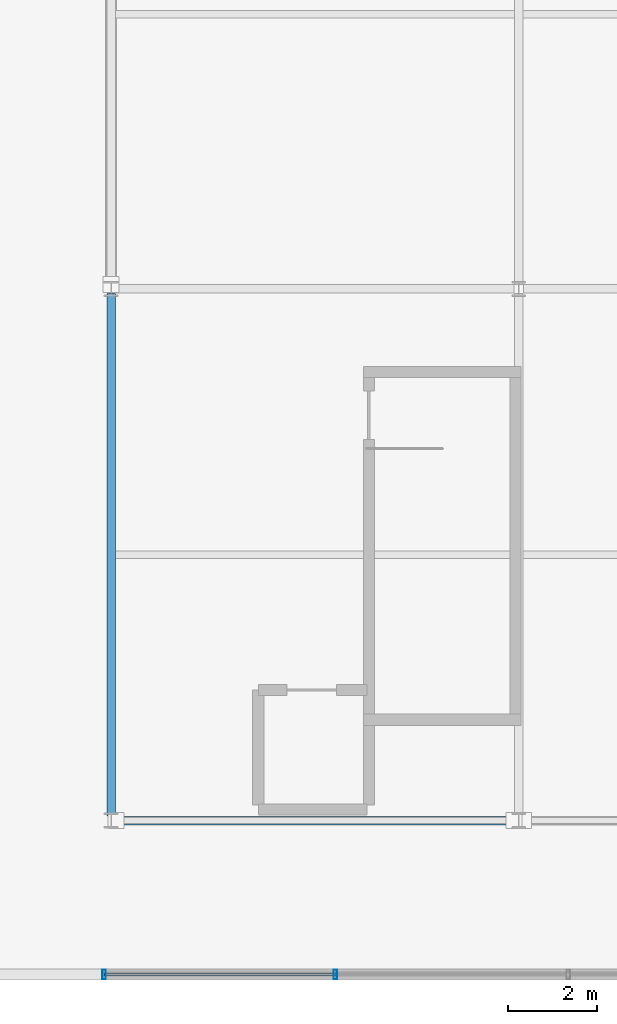
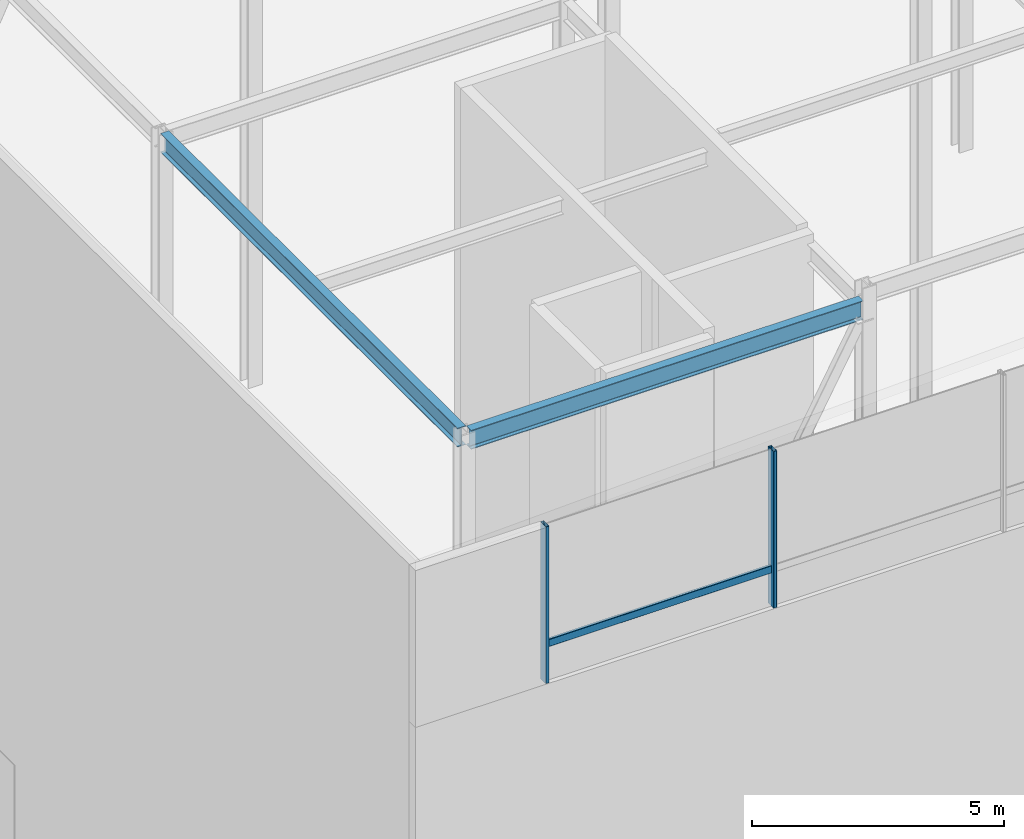
# One storey, part 14 of 39: 3 members, 2 beams, 1 element without a shape of its own.
"""IFC4 building model written with IfcOpenShell, lengths in metres."""

from ifc_helpers import new_model, si_unit, direction, frame, origin, origin_2d, place, context, subcontext, project, spatial, hollow_rectangle, i_section, extrude, material, layer, layer_set, material_profile, profile_set, type_object, element, aggregate, save


model = new_model("IFC4")

# Units and contexts
model_context = context("Model", 3, precision=1e-05, world=origin(), true_north=direction((0.0, 1.0)))
body_context = subcontext(model_context, "Body", "Model", "MODEL_VIEW")
ifc_project = project(units=[si_unit("LENGTHUNIT", "METRE"), si_unit("AREAUNIT", "SQUARE_METRE"), si_unit("VOLUMEUNIT", "CUBIC_METRE"), si_unit("PLANEANGLEUNIT", "RADIAN"), si_unit("MASSUNIT", "GRAM", prefix="KILO")], contexts=[model_context])

# Site, building, storey
site_placement = place(None, origin())
site = spatial("IfcSite", under=ifc_project, at=site_placement, CompositionType="ELEMENT")
building_placement = place(site_placement, origin())
building = spatial("IfcBuilding", under=site, at=building_placement, Name="Korimba Cascade Residences", CompositionType="ELEMENT")
storey_placement = place(building_placement, frame((0.0, 0.0, 264.199951171875)))
storey = spatial("IfcBuildingStorey", under=building, at=storey_placement, Name="RF", CompositionType="ELEMENT", Elevation=264.199951171875)

# Beams
ifc_material_1 = material(Name="Steel S355", Category="steel")
ifc_material_profile_1 = material_profile(ifc_material_1, i_section(OverallWidth=0.19140625, OverallDepth=0.4599609375, WebThickness=0.010009765625, FlangeThickness=0.01611328125, FilletRadius=0.01025390625, at=origin_2d()), Name="Steel S355")
ifc_profile_set_1 = profile_set([ifc_material_profile_1], Name="Steel S355")
beam_type = type_object("IfcBeamType", Name="BM-STL-UB457", PredefinedType="JOIST", material=ifc_profile_set_1)
beam_1_placement = place(storey_placement, frame((103.0048828125, 55.199951171875, 16.638916015625), z_axis=(1.0, 0.0, 0.0), x_axis=(0.0, 1.0, 0.0)))
element("IfcBeam", 1, at=beam_1_placement, inside=storey, type_object=beam_type, Name="RF Crown Cap Ring Beam E1.1", PredefinedType="JOIST", context=body_context, shape_type="SweptSolid", body=[
    extrude(i_section(OverallWidth=0.19140625, OverallDepth=0.4599609375, WebThickness=0.010009765625, FlangeThickness=0.01611328125, FilletRadius=0.01025390625, at=origin_2d()), origin(), (0.0, 0.0, 1.0), 8.990234375),
])
beam_2_placement = place(storey_placement, frame((102.89990234375, 55.304931640625, 16.638916015625), z_axis=(0.0, 1.0, 0.0), x_axis=(-1.0, 0.0, 0.0)))
element("IfcBeam", 2, at=beam_2_placement, inside=storey, type_object=beam_type, Name="RF Crown Cap Tie Beam E1.1", PredefinedType="JOIST", context=body_context, shape_type="SweptSolid", body=[
    extrude(i_section(OverallWidth=0.19140625, OverallDepth=0.4599609375, WebThickness=0.010009765625, FlangeThickness=0.01611328125, FilletRadius=0.01025390625, at=origin_2d()), origin(), (0.0, 0.0, 1.0), 11.7900390625),
])

# Curtain wall, members
ifc_material_2 = material(Name="Anodised Aluminium Curtain Wall Framing", Category="aluminium")
ifc_layer = layer(ifc_material_2, 0.179931640625)
ifc_layer_set = layer_set([ifc_layer], Name="Anodised Aluminium Curtain Wall Framing")
curtain_wall_type = type_object("IfcCurtainWallType", Name="CW-CRNW-SYS5", PredefinedType="NOTDEFINED", material=ifc_layer_set)
curtain_wall_placement = place(storey_placement, origin())
curtain_wall = element("IfcCurtainWall", 3, at=curtain_wall_placement, inside=storey, type_object=curtain_wall_type, Name="RF Curtain Wall CW-RF-CRN-E-3", PredefinedType="NOTDEFINED")
ifc_material_3 = material(Name="Anodised Aluminium Mullion", Category="aluminium")
ifc_material_profile_2 = material_profile(ifc_material_3, hollow_rectangle(XDim=0.080078125, YDim=0.219970703125, WallThickness=0.00634765625, InnerFilletRadius=0.00634765625, OuterFilletRadius=0.0126953125, at=origin_2d()), Name="Anodised Aluminium Mullion")
ifc_profile_set_2 = profile_set([ifc_material_profile_2], Name="Anodised Aluminium Mullion")
member_type_1 = type_object("IfcMemberType", Name="CWM-MUL-220", PredefinedType="MULLION", material=ifc_profile_set_2)
member_1_placement = place(storey_placement, frame((102.739990234375, 51.72509765625, 12.949951171875), z_axis=(0.0, 0.0, 1.0), x_axis=(1.0, 0.0, 0.0)))
member_1 = element("IfcMember", 4, at=member_1_placement, type_object=member_type_1, Name="CW-RF-CRN-E-3 Mullion 1", PredefinedType="MULLION", context=body_context, shape_type="SweptSolid", body=[
    extrude(hollow_rectangle(XDim=0.080078125, YDim=0.219970703125, WallThickness=0.00634765625, InnerFilletRadius=0.00634765625, OuterFilletRadius=0.0126953125, at=origin_2d()), origin(), (0.0, 0.0, 1.0), 3.800048828125),
])
member_2_placement = place(storey_placement, frame((107.9599609375, 51.72509765625, 12.949951171875), z_axis=(0.0, 0.0, 1.0), x_axis=(1.0, 0.0, 0.0)))
member_2 = element("IfcMember", 5, at=member_2_placement, type_object=member_type_1, Name="CW-RF-CRN-E-3 Mullion 2", PredefinedType="MULLION", context=body_context, shape_type="SweptSolid", body=[
    extrude(hollow_rectangle(XDim=0.080078125, YDim=0.219970703125, WallThickness=0.00634765625, InnerFilletRadius=0.00634765625, OuterFilletRadius=0.0126953125, at=origin_2d()), origin(), (0.0, 0.0, 1.0), 3.800048828125),
])
ifc_material_4 = material(Name="Anodised Aluminium Transom", Category="aluminium")
ifc_material_profile_3 = material_profile(ifc_material_4, hollow_rectangle(XDim=0.070068359375, YDim=0.179931640625, WallThickness=0.0048828125, InnerFilletRadius=0.0048828125, OuterFilletRadius=0.010009765625, at=origin_2d()), Name="Anodised Aluminium Transom")
ifc_profile_set_3 = profile_set([ifc_material_profile_3], Name="Anodised Aluminium Transom")
member_type_2 = type_object("IfcMemberType", Name="CWM-TRN-150", PredefinedType="USERDEFINED", material=ifc_profile_set_3)
member_3_placement = place(storey_placement, frame((102.739990234375, 51.72509765625, 13.85009765625), z_axis=(1.0, 0.0, 0.0), x_axis=(0.0, 1.0, 0.0)))
member_3 = element("IfcMember", 6, at=member_3_placement, type_object=member_type_2, Name="CW-RF-CRN-E-3 Transom 1", ObjectType="TRANSOM", PredefinedType="USERDEFINED", context=body_context, shape_type="SweptSolid", body=[
    extrude(hollow_rectangle(XDim=0.070068359375, YDim=0.179931640625, WallThickness=0.0048828125, InnerFilletRadius=0.0048828125, OuterFilletRadius=0.010009765625, at=origin_2d()), origin(), (0.0, 0.0, 1.0), 5.219970703125),
])
aggregate(curtain_wall, [member_1, member_2, member_3])

save(model, "model.ifc")
